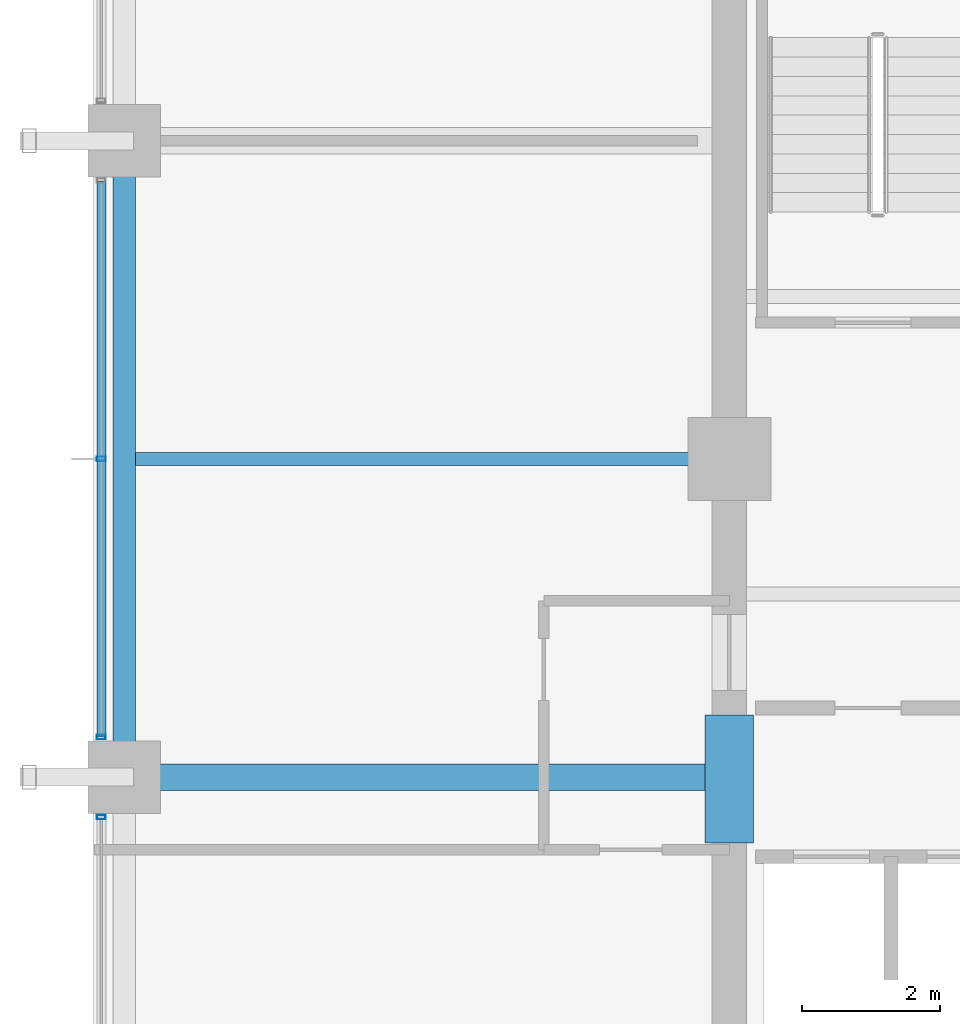
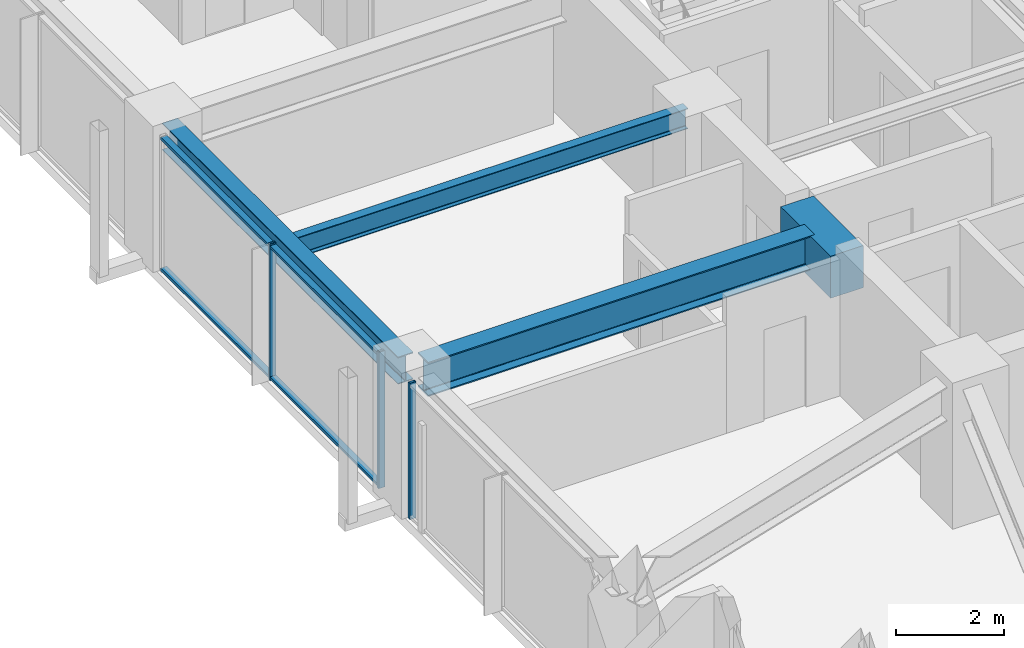
# One storey, part 8 of 31: 5 members, 4 beams, 2 elements without a shape of their own.
"""IFC4 building model written with IfcOpenShell, lengths in metres."""

from ifc_helpers import new_model, si_unit, direction, frame, origin, origin_2d, place, context, subcontext, project, spatial, rectangle, hollow_rectangle, i_section, extrude, material, material_profile, profile_set, type_object, element, aggregate, save


model = new_model("IFC4")

# Units and contexts
model_context = context("Model", 3, precision=1e-05, world=origin(), true_north=direction((0.0, 1.0)))
body_context = subcontext(model_context, "Body", "Model", "MODEL_VIEW")
ifc_project = project(units=[si_unit("LENGTHUNIT", "METRE"), si_unit("AREAUNIT", "SQUARE_METRE"), si_unit("VOLUMEUNIT", "CUBIC_METRE"), si_unit("PLANEANGLEUNIT", "RADIAN"), si_unit("MASSUNIT", "GRAM", prefix="KILO")], contexts=[model_context])

# Site, building, storey
site_placement = place(None, origin())
site = spatial("IfcSite", under=ifc_project, at=site_placement, CompositionType="ELEMENT")
building_placement = place(site_placement, origin())
building = spatial("IfcBuilding", under=site, at=building_placement, Name="Kolvaren Belvedere", CompositionType="ELEMENT")
storey_placement = place(building_placement, frame((0.0, 0.0, 118.39990234375)))
storey = spatial("IfcBuildingStorey", under=building, at=storey_placement, Name="L34", CompositionType="ELEMENT", Elevation=118.39990234375)

# Beams
ifc_material_1 = material(Name="Structural steel ASTM A992 Grade 50", Category="steel")
ifc_material_profile_1 = material_profile(ifc_material_1, i_section(OverallWidth=0.381103515625, OverallDepth=0.77294921875, WebThickness=0.0166015625, FlangeThickness=0.027099609375, FilletRadius=0.02392578125, at=origin_2d()), Name="W30X173")
ifc_profile_set_1 = profile_set([ifc_material_profile_1], Name="Structural steel ASTM A992 Grade 50")
beam_type_1 = type_object("IfcBeamType", Name="BM-GIRD-W30X173", PredefinedType="BEAM", material=ifc_profile_set_1)
beam_1_placement = place(storey_placement, frame((-10.14990234375, -4.60009765625, 2.693603515625), z_axis=(-1.0, 0.0, 0.0), x_axis=(0.0, -1.0, 0.0)))
element("IfcBeam", 1, at=beam_1_placement, inside=storey, type_object=beam_type_1, Name="L34 West Radial Girder M", PredefinedType="BEAM", context=body_context, shape_type="SweptSolid", body=[
    extrude(i_section(OverallWidth=0.381103515625, OverallDepth=0.77294921875, WebThickness=0.0166015625, FlangeThickness=0.027099609375, FilletRadius=0.02392578125, at=origin_2d()), origin(), (0.0, 0.0, 1.0), 8.263916015625),
])
ifc_material_2 = material(Name="Structural steel ASTM A992 Grade 50", Category="steel")
ifc_material_profile_2 = material_profile(ifc_material_2, i_section(OverallWidth=0.19091796875, OverallDepth=0.4599609375, WebThickness=0.010009765625, FlangeThickness=0.01611328125, FilletRadius=0.014892578125, at=origin_2d()), Name="W18X55")
ifc_profile_set_2 = profile_set([ifc_material_profile_2], Name="Structural steel ASTM A992 Grade 50")
beam_type_2 = type_object("IfcBeamType", Name="BM-JOIST-W18X55", PredefinedType="BEAM", material=ifc_profile_set_2)
beam_2_placement = place(storey_placement, frame((-10.14990234375, 0.0, 2.85009765625), z_axis=(-1.0, 0.0, 0.0), x_axis=(0.0, -1.0, 0.0)))
element("IfcBeam", 2, at=beam_2_placement, inside=storey, type_object=beam_type_2, Name="L34 West Centre Floor Beam", PredefinedType="BEAM", context=body_context, shape_type="SweptSolid", body=[
    extrude(i_section(OverallWidth=0.19091796875, OverallDepth=0.4599609375, WebThickness=0.010009765625, FlangeThickness=0.01611328125, FilletRadius=0.014892578125, at=origin_2d()), origin(), (0.0, 0.0, 1.0), 8.337646484375),
])
ifc_material_3 = material(Name="Concrete C60/75", Category="concrete")
ifc_material_profile_3 = material_profile(ifc_material_3, rectangle(XDim=0.699951171875, YDim=0.949951171875, at=origin_2d()), Name="RC 700X950")
ifc_profile_set_3 = profile_set([ifc_material_profile_3], Name="Concrete C60/75")
beam_type_3 = type_object("IfcBeamType", Name="BM-LINT-950", PredefinedType="LINTEL", material=ifc_profile_set_3)
beam_3_placement = place(storey_placement, frame((-9.89990234375, -5.550048828125, 2.60498046875), z_axis=(0.0, 1.0, 0.0), x_axis=(-1.0, 0.0, 0.0)))
element("IfcBeam", 3, at=beam_3_placement, inside=storey, type_object=beam_type_3, Name="L34 West Core Coupling Lintel", PredefinedType="LINTEL", context=body_context, shape_type="SweptSolid", body=[
    extrude(rectangle(XDim=0.699951171875, YDim=0.949951171875, at=origin_2d()), origin(), (0.0, 0.0, 1.0), 1.85009765625),
])
ifc_material_4 = material(Name="Structural steel ASTM A992 Grade 50", Category="steel")
ifc_material_profile_4 = material_profile(ifc_material_4, i_section(OverallWidth=0.324951171875, OverallDepth=0.615966796875, WebThickness=0.013916015625, FlangeThickness=0.021484375, FilletRadius=0.02001953125, at=origin_2d()), Name="W24X117")
ifc_profile_set_4 = profile_set([ifc_material_profile_4], Name="Structural steel ASTM A992 Grade 50")
beam_type_4 = type_object("IfcBeamType", Name="BM-SPAN-W24X117", PredefinedType="SPANDREL", material=ifc_profile_set_4)
beam_4_placement = place(storey_placement, frame((-18.64990234375, 4.36376953125, 2.772216796875), z_axis=(0.0, -1.0, 0.0), x_axis=(1.0, 0.0, 0.0)))
element("IfcBeam", 4, at=beam_4_placement, inside=storey, type_object=beam_type_4, Name="L34 Perimeter Spandrel W3-W2", PredefinedType="SPANDREL", context=body_context, shape_type="SweptSolid", body=[
    extrude(i_section(OverallWidth=0.324951171875, OverallDepth=0.615966796875, WebThickness=0.013916015625, FlangeThickness=0.021484375, FilletRadius=0.02001953125, at=origin_2d()), origin(), (0.0, 0.0, 1.0), 8.7275390625),
])

# Curtain wall, member
ifc_material_5 = material(Name="Anodised pale-metal aluminium AA 6063-T6", Category="aluminium")
curtain_wall_type = type_object("IfcCurtainWallType", Name="CW-Z3-WAIST", PredefinedType="NOTDEFINED", material=ifc_material_5)
curtain_wall_1_placement = place(storey_placement, origin())
curtain_wall_1 = element("IfcCurtainWall", 5, at=curtain_wall_1_placement, inside=storey, type_object=curtain_wall_type, Name="L34 Unitised Curtain Wall FCW-L34-W-B1", PredefinedType="NOTDEFINED")
ifc_material_6 = material(Name="Anodised pale-metal aluminium AA 6063-T6", Category="aluminium")
ifc_material_profile_5 = material_profile(ifc_material_6, hollow_rectangle(XDim=0.06494140625, YDim=0.1298828125, WallThickness=0.00390625, at=origin_2d()), Name="ALU-MUL-130X65")
ifc_profile_set_5 = profile_set([ifc_material_profile_5], Name="Anodised pale-metal aluminium AA 6063-T6")
member_type_1 = type_object("IfcMemberType", Name="CW-MUL-130", PredefinedType="MULLION", material=ifc_profile_set_5)
member_1_placement = place(storey_placement, frame((-18.97998046875, -5.177490234375, 0.0), z_axis=(0.0, 0.0, 1.0), x_axis=(0.0, 1.0, 0.0)))
member_1 = element("IfcMember", 6, at=member_1_placement, type_object=member_type_1, Name="FCW-L34-W-B1 Unitised Mullion 3", PredefinedType="MULLION", context=body_context, shape_type="SweptSolid", body=[
    extrude(hollow_rectangle(XDim=0.06494140625, YDim=0.1298828125, WallThickness=0.00390625, at=origin_2d()), origin(), (0.0, 0.0, 1.0), 3.080078125),
])
aggregate(curtain_wall_1, [member_1])

# Curtain wall, members
curtain_wall_2_placement = place(storey_placement, origin())
curtain_wall_2 = element("IfcCurtainWall", 7, at=curtain_wall_2_placement, inside=storey, type_object=curtain_wall_type, Name="L34 Unitised Curtain Wall FCW-L34-W-B2", PredefinedType="NOTDEFINED")
member_2_placement = place(storey_placement, frame((-18.97998046875, -4.0224609375, 0.0), z_axis=(0.0, 0.0, 1.0), x_axis=(0.0, 1.0, 0.0)))
member_2 = element("IfcMember", 8, at=member_2_placement, type_object=member_type_1, Name="FCW-L34-W-B2 Unitised Mullion 1", PredefinedType="MULLION", context=body_context, shape_type="SweptSolid", body=[
    extrude(hollow_rectangle(XDim=0.06494140625, YDim=0.1298828125, WallThickness=0.00390625, at=origin_2d()), origin(), (0.0, 0.0, 1.0), 3.080078125),
])
member_3_placement = place(storey_placement, frame((-18.97998046875, 0.0, 0.0), z_axis=(0.0, 0.0, 1.0), x_axis=(0.0, 1.0, 0.0)))
member_3 = element("IfcMember", 9, at=member_3_placement, type_object=member_type_1, Name="FCW-L34-W-B2 Unitised Mullion 2", PredefinedType="MULLION", context=body_context, shape_type="SweptSolid", body=[
    extrude(hollow_rectangle(XDim=0.06494140625, YDim=0.1298828125, WallThickness=0.00390625, at=origin_2d()), origin(), (0.0, 0.0, 1.0), 3.080078125),
])
ifc_material_7 = material(Name="Anodised pale-metal aluminium AA 6063-T6", Category="aluminium")
ifc_material_profile_6 = material_profile(ifc_material_7, hollow_rectangle(XDim=0.06005859375, YDim=0.1298828125, WallThickness=0.00390625, at=origin_2d()), Name="ALU-TRN-130X60")
ifc_profile_set_6 = profile_set([ifc_material_profile_6], Name="Anodised pale-metal aluminium AA 6063-T6")
member_type_2 = type_object("IfcMemberType", Name="CW-TRN-130", PredefinedType="USERDEFINED", material=ifc_profile_set_6)
member_4_placement = place(storey_placement, frame((-18.97998046875, -4.0224609375, 0.06005859375), z_axis=(0.0, 1.0, 0.0), x_axis=(0.0, 0.0, 1.0)))
member_4 = element("IfcMember", 10, at=member_4_placement, type_object=member_type_2, Name="FCW-L34-W-B2 Sill Transom", ObjectType="TRANSOM", PredefinedType="USERDEFINED", context=body_context, shape_type="SweptSolid", body=[
    extrude(hollow_rectangle(XDim=0.06005859375, YDim=0.1298828125, WallThickness=0.00390625, at=origin_2d()), origin(), (0.0, 0.0, 1.0), 8.044921875),
])
member_5_placement = place(storey_placement, frame((-18.97998046875, -4.0224609375, 3.02001953125), z_axis=(0.0, 1.0, 0.0), x_axis=(0.0, 0.0, 1.0)))
member_5 = element("IfcMember", 11, at=member_5_placement, type_object=member_type_2, Name="FCW-L34-W-B2 Head Transom", ObjectType="TRANSOM", PredefinedType="USERDEFINED", context=body_context, shape_type="SweptSolid", body=[
    extrude(hollow_rectangle(XDim=0.06005859375, YDim=0.1298828125, WallThickness=0.00390625, at=origin_2d()), origin(), (0.0, 0.0, 1.0), 8.044921875),
])
aggregate(curtain_wall_2, [member_2, member_3, member_4, member_5])

save(model, "model.ifc")
